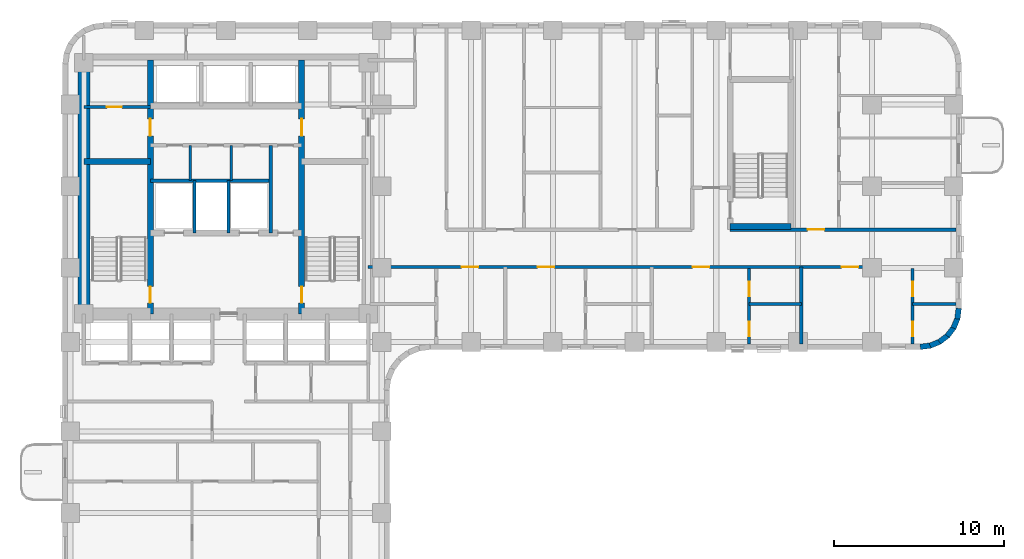
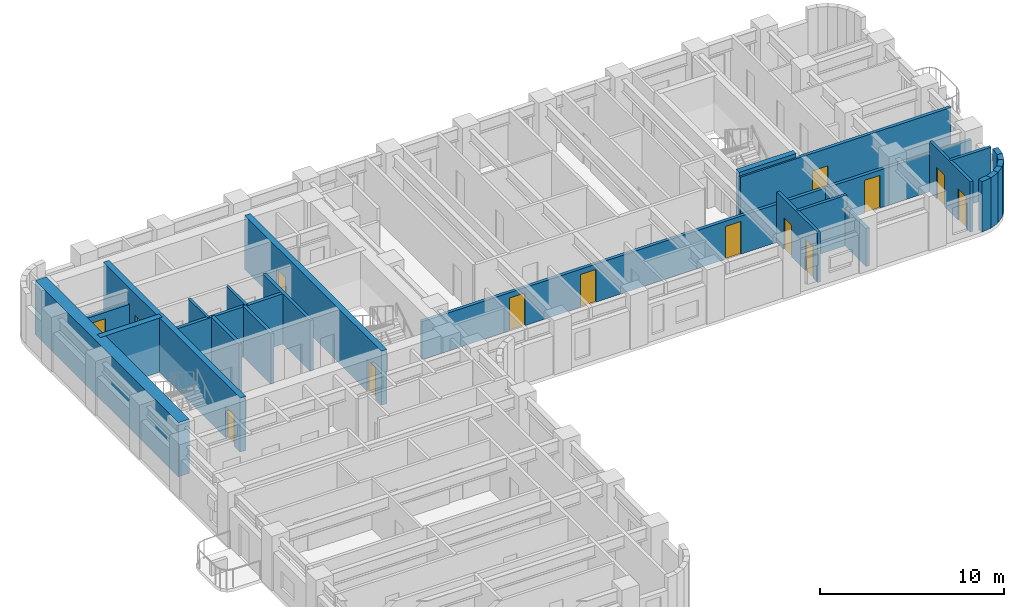
# One storey, part 5 of 11: 25 walls, 14 doors, 14 openings.
"""IFC4 building model written with IfcOpenShell, lengths in metres."""

import ifcopenshell
import ifcopenshell.guid

model = None  # the IFC model being written
_history = None  # IfcOwnerHistory: only IFC2X3 demands one
_inside = {}  # id of a spatial element -> (the spatial element, [elements in it])
_under = {}  # id of a project, library or spatial element -> (it, [spatial elements below it])
_declared = {}  # id of a project -> (the project, [libraries it declares])
_typed = {}  # id of a type object -> (the type object, [elements of that type])
_made_of = {}  # id of a material, layer set ... -> (it, [elements and type objects made of it])


def new_model(schema):
    """Start an empty IFC model of exactly this schema.

    Asked for "IFC4X3", IfcOpenShell would pick the latest addendum, in which some entities
    have other attributes; the version numbers below select the first issue.
    IFC2X3 requires an IfcOwnerHistory on every rooted entity: one is made here for all.
    """
    global model, _history
    if schema == "IFC4X3":
        model = ifcopenshell.file(schema_version=(4, 3, 0, 0))
    else:
        model = ifcopenshell.file(schema=schema)
    _inside.clear()
    _under.clear()
    _declared.clear()
    _typed.clear()
    _made_of.clear()
    _history = None
    if model.schema == "IFC2X3":
        org = make("IfcOrganization", Name="unknown")
        user = make(
            "IfcPersonAndOrganization",
            ThePerson=make("IfcPerson", FamilyName="unknown"),
            TheOrganization=org,
        )
        app = make(
            "IfcApplication",
            ApplicationDeveloper=org,
            Version="unknown",
            ApplicationFullName="unknown",
            ApplicationIdentifier="unknown",
        )
        _history = make(
            "IfcOwnerHistory",
            OwningUser=user,
            OwningApplication=app,
            ChangeAction="ADDED",
            CreationDate=0,
        )
    return model


def make(cls, **values):
    """One entity of the class cls with the attributes given. An attribute that is None is left unset."""
    return model.create_entity(
        cls, **{name: value for name, value in values.items() if value is not None}
    )


def rooted(cls, **values):
    """An entity with a GlobalId (a new one), such as an element, a storey or a relation."""
    return make(cls, GlobalId=ifcopenshell.guid.new(), OwnerHistory=_history, **values)


def si_unit(unit_type, name, prefix=None):
    """IfcSIUnit, for example si_unit("LENGTHUNIT", "METRE", prefix="MILLI")."""
    return make("IfcSIUnit", UnitType=unit_type, Prefix=prefix, Name=name)


def assignment(units):
    """IfcUnitAssignment: the units of a project."""
    return None if units is None else make("IfcUnitAssignment", Units=units)


def point(xyz):
    """IfcCartesianPoint."""
    return None if xyz is None else make("IfcCartesianPoint", Coordinates=xyz)


def direction(xyz):
    """IfcDirection."""
    return None if xyz is None else make("IfcDirection", DirectionRatios=xyz)


def frame(location, z_axis=None, x_axis=None):
    """IfcAxis2Placement3D, a coordinate frame: its origin and axes. An axis left out is left unset."""
    return make(
        "IfcAxis2Placement3D",
        Location=point(location),
        Axis=direction(z_axis),
        RefDirection=direction(x_axis),
    )


def frame_2d(location, x_axis=None):
    """IfcAxis2Placement2D, a coordinate frame in the plane: its origin and x axis."""
    return make(
        "IfcAxis2Placement2D", Location=point(location), RefDirection=direction(x_axis)
    )


def origin():
    """The frame at (0, 0, 0) with its axes left unset."""
    return frame((0.0, 0.0, 0.0))


def place(relative_to, where):
    """IfcLocalPlacement: puts the frame where relative to a parent placement (None: the world)."""
    return make(
        "IfcLocalPlacement", PlacementRelTo=relative_to, RelativePlacement=where
    )


def context(
    kind, dimensions, precision=None, world=None, true_north=None, identifier=None
):
    """IfcGeometricRepresentationContext, for example the 3D "Model" context."""
    return make(
        "IfcGeometricRepresentationContext",
        ContextIdentifier=identifier,
        ContextType=kind,
        CoordinateSpaceDimension=dimensions,
        Precision=precision,
        WorldCoordinateSystem=world,
        TrueNorth=true_north,
    )


def subcontext(parent, identifier, kind, view, scale=None):
    """IfcGeometricRepresentationSubContext, for example "Body" below "Model"."""
    return make(
        "IfcGeometricRepresentationSubContext",
        ContextIdentifier=identifier,
        ContextType=kind,
        ParentContext=parent,
        TargetScale=scale,
        TargetView=view,
    )


def project(units=None, contexts=None):
    """IfcProject with its units and contexts."""
    return rooted(
        "IfcProject",
        Name="project",
        RepresentationContexts=contexts,
        UnitsInContext=assignment(units),
    )


def spatial(cls, under=None, at=None, **own):
    """A site, building, storey or space (cls), placed at a placement, below another one or the project."""
    s = rooted(cls, ObjectPlacement=at, **own)
    if under is not None:
        _under.setdefault(under.id(), (under, []))[1].append(s)
    return s


def profile(cls, at=None, kind="AREA", **sizes):
    """A parametric profile (cls). Its sizes go by their IFC names, for example OverallWidth=200.0."""
    return make(cls, ProfileType=kind, Position=at, **sizes)


def rectangle(**sizes):
    """IfcRectangleProfileDef."""
    return profile("IfcRectangleProfileDef", **sizes)


def extrude(swept, where, along, depth):
    """IfcExtrudedAreaSolid: the profile swept, set in the frame where, extruded along a direction by depth."""
    return make(
        "IfcExtrudedAreaSolid",
        SweptArea=swept,
        Position=where,
        ExtrudedDirection=direction(along),
        Depth=depth,
    )


def shape(context_of_items, identifier, shape_type, items):
    """IfcShapeRepresentation: the items that make up one representation, for example the "Body"."""
    return make(
        "IfcShapeRepresentation",
        ContextOfItems=context_of_items,
        RepresentationIdentifier=identifier,
        RepresentationType=shape_type,
        Items=items,
    )


def material(Name=None, Category=None):
    """IfcMaterial."""
    return make("IfcMaterial", Name=Name, Category=Category)


def layer(
    of_material, thickness, ventilated=None, Name=None, Category=None, Priority=None
):
    """IfcMaterialLayer: one layer of a wall or slab, of a material (None: an air gap)."""
    return make(
        "IfcMaterialLayer",
        Material=of_material,
        LayerThickness=thickness,
        IsVentilated=ventilated,
        Name=Name,
        Category=Category,
        Priority=Priority,
    )


def layer_set(layers, Name=None):
    """IfcMaterialLayerSet."""
    return make("IfcMaterialLayerSet", MaterialLayers=layers, LayerSetName=Name)


def made_of(thing, what):
    """Note that an element or type object is made of a material, layer set ...; save() writes the relation."""
    if what is not None:
        _made_of.setdefault(what.id(), (what, []))[1].append(thing)
    return thing


def type_object(cls, material=None, **own):
    """A type object (cls), such as IfcWallType, which elements share."""
    return made_of(rooted(cls, **own), material)


def element(
    cls,
    number,
    at=None,
    inside=None,
    cuts=None,
    type_object=None,
    material=None,
    context=None,
    identifier="Body",
    shape_type=None,
    held_by="IfcProductDefinitionShape",
    body=None,
    shapes=None,
    **own,
):
    """One element of the class cls, such as IfcWall. Its Tag is "e" and its number.

    at: its placement. inside: the storey or other place that contains it. cuts: it is an
    opening in that element (IfcRelVoidsElement). A single representation is given by context,
    identifier, shape_type and body (its items); several are given by shapes. held_by: the class
    of the entity that holds the representations. save() writes the other relations.
    """
    e = rooted(cls, Tag="e%d" % number, ObjectPlacement=at, **own)
    if body is not None:
        shapes = [shape(context, identifier, shape_type, body)]
    if shapes is not None:
        e.Representation = make(held_by, Representations=shapes)
    if inside is not None:
        _inside.setdefault(inside.id(), (inside, []))[1].append(e)
    if cuts is not None:
        rooted(
            "IfcRelVoidsElement", RelatingBuildingElement=cuts, RelatedOpeningElement=e
        )
    if type_object is not None:
        _typed.setdefault(type_object.id(), (type_object, []))[1].append(e)
    return made_of(e, material)


def fill(opening, filler):
    """IfcRelFillsElement: the door or window that sits in an opening."""
    return rooted(
        "IfcRelFillsElement",
        RelatingOpeningElement=opening,
        RelatedBuildingElement=filler,
    )


def aggregate(whole, parts):
    """IfcRelAggregates: a whole, such as a stair, and the parts it consists of."""
    return rooted("IfcRelAggregates", RelatingObject=whole, RelatedObjects=parts)


def save(model, path):
    """Write the relations noted so far, then the file.

    IfcRelAggregates (storeys below a building ...), IfcRelContainedInSpatialStructure (elements
    in a storey), IfcRelDefinesByType, IfcRelAssociatesMaterial and IfcRelDeclares: one each for
    every whole, place, type object, material and project.
    """
    for whole, parts in _under.values():
        aggregate(whole, parts)
    for where, things in _inside.values():
        rooted(
            "IfcRelContainedInSpatialStructure",
            RelatedElements=things,
            RelatingStructure=where,
        )
    for kind, things in _typed.values():
        rooted("IfcRelDefinesByType", RelatedObjects=things, RelatingType=kind)
    for what, things in _made_of.values():
        rooted("IfcRelAssociatesMaterial", RelatedObjects=things, RelatingMaterial=what)
    for by, libraries in _declared.values():
        rooted("IfcRelDeclares", RelatingContext=by, RelatedDefinitions=libraries)
    model.write(path)


model = new_model("IFC4")

# Units and contexts
model_context = context("Model", 3, precision=1e-05, world=origin(), true_north=direction((0.0, 1.0)))
body_context = subcontext(model_context, "Body", "Model", "MODEL_VIEW")
ifc_project = project(units=[si_unit("LENGTHUNIT", "METRE"), si_unit("AREAUNIT", "SQUARE_METRE"), si_unit("VOLUMEUNIT", "CUBIC_METRE"), si_unit("PLANEANGLEUNIT", "RADIAN"), si_unit("MASSUNIT", "GRAM", prefix="KILO")], contexts=[model_context])

# Site, building, storey
site_placement = place(None, origin())
site = spatial("IfcSite", under=ifc_project, at=site_placement, CompositionType="ELEMENT")
building_placement = place(site_placement, origin())
building = spatial("IfcBuilding", under=site, at=building_placement, Name="Orvandelia Arch Residences", CompositionType="ELEMENT")
storey_placement = place(building_placement, frame((0.0, 0.0, 79.0)))
storey = spatial("IfcBuildingStorey", under=building, at=storey_placement, Name="L20", CompositionType="ELEMENT", Elevation=79.0)

# Wall, openings, doors
ifc_material_1 = material(Name="Concrete C50/60", Category="concrete")
ifc_layer_1 = layer(ifc_material_1, 0.35009765625, Name="Concrete C50/60", Category="concrete")
ifc_layer_set_1 = layer_set([ifc_layer_1], Name="Concrete C50/60")
wall_type_1 = type_object("IfcWallType", Name="WL-CORE-350", PredefinedType="SHEAR", material=ifc_layer_set_1)
wall_1_placement = place(storey_placement, frame((9.9599609375, 30.89990234375, 0.0), z_axis=(0.0, 0.0, 1.0), x_axis=(0.0, 1.0, 0.0)))
wall_1 = element("IfcWall", 1, at=wall_1_placement, inside=storey, type_object=wall_type_1, Name="Core Shear Wall L20-WEB1", PredefinedType="SHEAR", context=body_context, shape_type="SweptSolid", body=[
    extrude(rectangle(XDim=14.900146484375, YDim=0.35009765625, at=frame_2d((7.4501953125, 0.0))), origin(), (0.0, 0.0, 1.0), 3.60009765625),
])
opening_1_placement = place(wall_1_placement, frame((0.64990234375, 0.0, 0.0)))
opening_1 = element("IfcOpeningElement", 2, at=opening_1_placement, cuts=wall_1, Name="Opening D7", PredefinedType="OPENING", context=body_context, shape_type="SweptSolid", body=[
    extrude(rectangle(XDim=0.949951171875, YDim=2.10009765625, at=frame_2d((0.47509765625, 1.050048828125))), frame((0.0, 0.18505859375, 0.0), z_axis=(0.0, -1.0, 0.0), x_axis=(1.0, 0.0, 0.0)), (0.0, 0.0, 1.0), 0.3701171875),
])
opening_2_placement = place(wall_1_placement, frame((10.449951171875, 0.0, 0.0)))
opening_2 = element("IfcOpeningElement", 3, at=opening_2_placement, cuts=wall_1, Name="Opening D6", PredefinedType="OPENING", context=body_context, shape_type="SweptSolid", body=[
    extrude(rectangle(XDim=1.0, YDim=2.14990234375, at=frame_2d((0.5, 1.074951171875))), frame((0.0, 0.18505859375, 0.0), z_axis=(0.0, -1.0, 0.0), x_axis=(1.0, 0.0, 0.0)), (0.0, 0.0, 1.0), 0.3701171875),
])
ifc_material_2 = material(Name="Smokeproof Painted Steel Fire Door", Category="steel")
door_type_1 = type_object("IfcDoorType", Name="DR-FD60-1000", OperationType="NOTDEFINED", PredefinedType="DOOR", material=ifc_material_2)
door_1_placement = place(opening_2_placement, origin())
door_1 = element("IfcDoor", 4, at=door_1_placement, inside=storey, type_object=door_type_1, Name="High-Rise Lift Hall West Vestibule Door L20", OperationType="SINGLE_SWING_LEFT", OverallHeight=2.14990234375, OverallWidth=1.0, PredefinedType="DOOR", context=body_context, shape_type="SweptSolid", body=[
    extrude(rectangle(XDim=1.0, YDim=2.14990234375, at=frame_2d((0.5, 1.074951171875))), frame((0.0, 0.02490234375, 0.0), z_axis=(0.0, -1.0, 0.0), x_axis=(1.0, 0.0, 0.0)), (0.0, 0.0, 1.0), 0.050048828125),
])
fill(opening_2, door_1)
ifc_material_3 = material(Name="Pressurised Stairwell Fire Door")
door_type_2 = type_object("IfcDoorType", Name="DR-STAIR-950", OperationType="NOTDEFINED", PredefinedType="DOOR", material=ifc_material_3)
door_2_placement = place(opening_1_placement, origin())
door_2 = element("IfcDoor", 5, at=door_2_placement, inside=storey, type_object=door_type_2, Name="Stairwell ST-1 Fire Door L20", OperationType="SINGLE_SWING_LEFT", OverallHeight=2.10009765625, OverallWidth=0.949951171875, PredefinedType="DOOR", context=body_context, shape_type="SweptSolid", body=[
    extrude(rectangle(XDim=0.949951171875, YDim=2.10009765625, at=frame_2d((0.47509765625, 1.050048828125))), frame((0.0, 0.02490234375, 0.0), z_axis=(0.0, -1.0, 0.0), x_axis=(1.0, 0.0, 0.0)), (0.0, 0.0, 1.0), 0.050048828125),
])
fill(opening_1, door_2)

wall_2_placement = place(storey_placement, frame((18.840087890625, 30.89990234375, 0.0), z_axis=(0.0, 0.0, 1.0), x_axis=(0.0, 1.0, 0.0)))
wall_2 = element("IfcWall", 6, at=wall_2_placement, inside=storey, type_object=wall_type_1, Name="Core Shear Wall L20-WEB2", PredefinedType="SHEAR", context=body_context, shape_type="SweptSolid", body=[
    extrude(rectangle(XDim=14.900146484375, YDim=0.35009765625, at=frame_2d((7.4501953125, 0.0))), origin(), (0.0, 0.0, 1.0), 3.60009765625),
])
opening_3_placement = place(wall_2_placement, frame((0.64990234375, 0.0, 0.0)))
opening_3 = element("IfcOpeningElement", 7, at=opening_3_placement, cuts=wall_2, Name="Opening D7", PredefinedType="OPENING", context=body_context, shape_type="SweptSolid", body=[
    extrude(rectangle(XDim=0.949951171875, YDim=2.10009765625, at=frame_2d((0.47509765625, 1.050048828125))), frame((0.0, 0.18505859375, 0.0), z_axis=(0.0, -1.0, 0.0), x_axis=(1.0, 0.0, 0.0)), (0.0, 0.0, 1.0), 0.3701171875),
])
opening_4_placement = place(wall_2_placement, frame((10.449951171875, 0.0, 0.0)))
opening_4 = element("IfcOpeningElement", 8, at=opening_4_placement, cuts=wall_2, Name="Opening D6", PredefinedType="OPENING", context=body_context, shape_type="SweptSolid", body=[
    extrude(rectangle(XDim=1.0, YDim=2.14990234375, at=frame_2d((0.5, 1.074951171875))), frame((0.0, 0.18505859375, 0.0), z_axis=(0.0, -1.0, 0.0), x_axis=(1.0, 0.0, 0.0)), (0.0, 0.0, 1.0), 0.3701171875),
])
door_3_placement = place(opening_4_placement, origin())
door_3 = element("IfcDoor", 9, at=door_3_placement, inside=storey, type_object=door_type_1, Name="High-Rise Lift Hall East Vestibule Door L20", OperationType="SINGLE_SWING_RIGHT", OverallHeight=2.14990234375, OverallWidth=1.0, PredefinedType="DOOR", context=body_context, shape_type="SweptSolid", body=[
    extrude(rectangle(XDim=1.0, YDim=2.14990234375, at=frame_2d((0.5, 1.074951171875))), frame((0.0, 0.02490234375, 0.0), z_axis=(0.0, -1.0, 0.0), x_axis=(1.0, 0.0, 0.0)), (0.0, 0.0, 1.0), 0.050048828125),
])
fill(opening_4, door_3)
door_4_placement = place(opening_3_placement, origin())
door_4 = element("IfcDoor", 10, at=door_4_placement, inside=storey, type_object=door_type_2, Name="Stairwell ST-2 Fire Door L20", OperationType="SINGLE_SWING_RIGHT", OverallHeight=2.10009765625, OverallWidth=0.949951171875, PredefinedType="DOOR", context=body_context, shape_type="SweptSolid", body=[
    extrude(rectangle(XDim=0.949951171875, YDim=2.10009765625, at=frame_2d((0.47509765625, 1.050048828125))), frame((0.0, 0.02490234375, 0.0), z_axis=(0.0, -1.0, 0.0), x_axis=(1.0, 0.0, 0.0)), (0.0, 0.0, 1.0), 0.050048828125),
])
fill(opening_3, door_4)

# Walls
wall_3_placement = place(storey_placement, frame((6.050048828125, 39.85009765625, 0.0), z_axis=(0.0, 0.0, 1.0), x_axis=(1.0, 0.0, 0.0)))
element("IfcWall", 11, at=wall_3_placement, inside=storey, type_object=wall_type_1, Name="Core Shear Wall L20-HZ1", PredefinedType="SHEAR", context=body_context, shape_type="SweptSolid", body=[
    extrude(rectangle(XDim=3.909912109375, YDim=0.35009765625, at=frame_2d((1.955078125, 0.0))), origin(), (0.0, 0.0, 1.0), 3.60009765625),
])
wall_4_placement = place(storey_placement, frame((44.02001953125, 36.0400390625, 0.0), z_axis=(0.0, 0.0, 1.0), x_axis=(1.0, 0.0, 0.0)))
element("IfcWall", 12, at=wall_4_placement, inside=storey, type_object=wall_type_1, Name="East Stair Core Shear Wall L20-S", PredefinedType="SHEAR", context=body_context, shape_type="SweptSolid", body=[
    extrude(rectangle(XDim=3.580078125, YDim=0.35009765625, at=frame_2d((1.7900390625, 0.0))), origin(), (0.0, 0.0, 1.0), 3.60009765625),
])
ifc_material_4 = material(Name="Concrete C80/95", Category="concrete")
ifc_layer_2 = layer(ifc_material_4, 0.699951171875, Name="Concrete C80/95", Category="concrete")
ifc_layer_set_2 = layer_set([ifc_layer_2], Name="Concrete C80/95")
wall_type_2 = type_object("IfcWallType", Name="WL-CORE-700", PredefinedType="SHEAR", material=ifc_layer_set_2)
wall_5_placement = place(storey_placement, frame((6.050048828125, 30.550048828125, 0.0), z_axis=(0.0, 0.0, 1.0), x_axis=(0.0, 1.0, 0.0)))
element("IfcWall", 13, at=wall_5_placement, inside=storey, type_object=wall_type_2, Name="Core Shear Wall L20-W", PredefinedType="SHEAR", context=body_context, shape_type="SweptSolid", body=[
    extrude(rectangle(XDim=15.599853515625, YDim=0.699951171875, at=frame_2d((7.7998046875, 0.0))), origin(), (0.0, 0.0, 1.0), 3.60009765625),
])

# Wall, openings, doors
ifc_material_5 = material(Name="Fire-Rated Corridor Partition")
ifc_layer_3 = layer(ifc_material_5, 0.199951171875, Name="Fire-Rated Corridor Partition")
ifc_layer_set_3 = layer_set([ifc_layer_3], Name="Fire-Rated Corridor Partition")
wall_type_3 = type_object("IfcWallType", Name="WL-CORR-200", PredefinedType="PARTITIONING", material=ifc_layer_set_3)
wall_6_placement = place(storey_placement, frame((22.75, 33.64990234375, 0.0), z_axis=(0.0, 0.0, 1.0), x_axis=(1.0, 0.0, 0.0)))
wall_6 = element("IfcWall", 14, at=wall_6_placement, inside=storey, type_object=wall_type_3, Name="Interior Partition Wall WL-L20-ES-S", PredefinedType="PARTITIONING", context=body_context, shape_type="SweptSolid", body=[
    extrude(rectangle(XDim=34.530029296875, YDim=0.199951171875, at=frame_2d((17.26513671875, 0.0))), origin(), (0.0, 0.0, 1.0), 2.530029296875),
])
opening_5_placement = place(wall_6_placement, frame((5.4951171875, 0.0, 0.0)))
opening_5 = element("IfcOpeningElement", 15, at=opening_5_placement, cuts=wall_6, Name="Opening D1", PredefinedType="OPENING", context=body_context, shape_type="SweptSolid", body=[
    extrude(rectangle(XDim=0.97998046875, YDim=2.179931640625, at=frame_2d((0.489990234375, 1.08984375))), frame((0.0, 0.10986328125, 0.0), z_axis=(0.0, -1.0, 0.0), x_axis=(1.0, 0.0, 0.0)), (0.0, 0.0, 1.0), 0.219970703125),
])
opening_6_placement = place(wall_6_placement, frame((9.9609375, 0.0, 0.0)))
opening_6 = element("IfcOpeningElement", 16, at=opening_6_placement, cuts=wall_6, Name="Opening D1", PredefinedType="OPENING", context=body_context, shape_type="SweptSolid", body=[
    extrude(rectangle(XDim=0.97998046875, YDim=2.179931640625, at=frame_2d((0.489990234375, 1.08984375))), frame((0.0, 0.10986328125, 0.0), z_axis=(0.0, -1.0, 0.0), x_axis=(1.0, 0.0, 0.0)), (0.0, 0.0, 1.0), 0.219970703125),
])
opening_7_placement = place(wall_6_placement, frame((19.06591796875, 0.0, 0.0)))
opening_7 = element("IfcOpeningElement", 17, at=opening_7_placement, cuts=wall_6, Name="Opening D1", PredefinedType="OPENING", context=body_context, shape_type="SweptSolid", body=[
    extrude(rectangle(XDim=0.97998046875, YDim=2.179931640625, at=frame_2d((0.489990234375, 1.08984375))), frame((0.0, 0.10986328125, 0.0), z_axis=(0.0, -1.0, 0.0), x_axis=(1.0, 0.0, 0.0)), (0.0, 0.0, 1.0), 0.219970703125),
])
opening_8_placement = place(wall_6_placement, frame((27.81494140625, 0.0, 0.0)))
opening_8 = element("IfcOpeningElement", 18, at=opening_8_placement, cuts=wall_6, Name="Opening D1", PredefinedType="OPENING", context=body_context, shape_type="SweptSolid", body=[
    extrude(rectangle(XDim=0.97998046875, YDim=2.179931640625, at=frame_2d((0.489990234375, 1.08984375))), frame((0.0, 0.10986328125, 0.0), z_axis=(0.0, -1.0, 0.0), x_axis=(1.0, 0.0, 0.0)), (0.0, 0.0, 1.0), 0.219970703125),
])
ifc_material_6 = material(Name="Solid-Core Timber Acoustic Fire Door", Category="wood")
door_type_3 = type_object("IfcDoorType", Name="DR-ENT-980", OperationType="NOTDEFINED", PredefinedType="DOOR", material=ifc_material_6)
door_5_placement = place(opening_5_placement, origin())
door_5 = element("IfcDoor", 19, at=door_5_placement, inside=storey, type_object=door_type_3, Name="Unit L20-04 Entrance Door", OperationType="SINGLE_SWING_RIGHT", OverallHeight=2.179931640625, OverallWidth=0.97998046875, PredefinedType="DOOR", context=body_context, shape_type="SweptSolid", body=[
    extrude(rectangle(XDim=0.97998046875, YDim=2.179931640625, at=frame_2d((0.489990234375, 1.08984375))), frame((0.0, 0.02490234375, 0.0), z_axis=(0.0, -1.0, 0.0), x_axis=(1.0, 0.0, 0.0)), (0.0, 0.0, 1.0), 0.050048828125),
])
fill(opening_5, door_5)
door_6_placement = place(opening_6_placement, origin())
door_6 = element("IfcDoor", 20, at=door_6_placement, inside=storey, type_object=door_type_3, Name="Unit L20-05 Entrance Door", OperationType="SINGLE_SWING_LEFT", OverallHeight=2.179931640625, OverallWidth=0.97998046875, PredefinedType="DOOR", context=body_context, shape_type="SweptSolid", body=[
    extrude(rectangle(XDim=0.97998046875, YDim=2.179931640625, at=frame_2d((0.489990234375, 1.08984375))), frame((0.0, 0.02490234375, 0.0), z_axis=(0.0, -1.0, 0.0), x_axis=(1.0, 0.0, 0.0)), (0.0, 0.0, 1.0), 0.050048828125),
])
fill(opening_6, door_6)
door_7_placement = place(opening_7_placement, origin())
door_7 = element("IfcDoor", 21, at=door_7_placement, inside=storey, type_object=door_type_3, Name="Unit L20-06 Entrance Door", OperationType="SINGLE_SWING_RIGHT", OverallHeight=2.179931640625, OverallWidth=0.97998046875, PredefinedType="DOOR", context=body_context, shape_type="SweptSolid", body=[
    extrude(rectangle(XDim=0.97998046875, YDim=2.179931640625, at=frame_2d((0.489990234375, 1.08984375))), frame((0.0, 0.02490234375, 0.0), z_axis=(0.0, -1.0, 0.0), x_axis=(1.0, 0.0, 0.0)), (0.0, 0.0, 1.0), 0.050048828125),
])
fill(opening_7, door_7)
door_8_placement = place(opening_8_placement, origin())
door_8 = element("IfcDoor", 22, at=door_8_placement, inside=storey, type_object=door_type_3, Name="Unit L20-07 Entrance Door", OperationType="SINGLE_SWING_LEFT", OverallHeight=2.179931640625, OverallWidth=0.97998046875, PredefinedType="DOOR", context=body_context, shape_type="SweptSolid", body=[
    extrude(rectangle(XDim=0.97998046875, YDim=2.179931640625, at=frame_2d((0.489990234375, 1.08984375))), frame((0.0, 0.02490234375, 0.0), z_axis=(0.0, -1.0, 0.0), x_axis=(1.0, 0.0, 0.0)), (0.0, 0.0, 1.0), 0.050048828125),
])
fill(opening_8, door_8)

# Wall, opening, door
wall_7_placement = place(storey_placement, frame((44.02001953125, 35.85009765625, 0.0), z_axis=(0.0, 0.0, 1.0), x_axis=(1.0, 0.0, 0.0)))
wall_7 = element("IfcWall", 23, at=wall_7_placement, inside=storey, type_object=wall_type_3, Name="Interior Partition Wall WL-L20-ES-N2", PredefinedType="PARTITIONING", context=body_context, shape_type="SweptSolid", body=[
    extrude(rectangle(XDim=13.260009765625, YDim=0.199951171875, at=frame_2d((6.6298828125, 0.0))), origin(), (0.0, 0.0, 1.0), 3.35009765625),
])
opening_9_placement = place(wall_7_placement, frame((4.548583984375, 0.0, 0.0)))
opening_9 = element("IfcOpeningElement", 24, at=opening_9_placement, cuts=wall_7, Name="Opening D1", PredefinedType="OPENING", context=body_context, shape_type="SweptSolid", body=[
    extrude(rectangle(XDim=0.97998046875, YDim=2.179931640625, at=frame_2d((0.489990234375, 1.08984375))), frame((0.0, 0.10986328125, 0.0), z_axis=(0.0, -1.0, 0.0), x_axis=(1.0, 0.0, 0.0)), (0.0, 0.0, 1.0), 0.219970703125),
])
door_9_placement = place(opening_9_placement, origin())
door_9 = element("IfcDoor", 25, at=door_9_placement, inside=storey, type_object=door_type_3, Name="Unit L20-10 Entrance Door", OperationType="SINGLE_SWING_RIGHT", OverallHeight=2.179931640625, OverallWidth=0.97998046875, PredefinedType="DOOR", context=body_context, shape_type="SweptSolid", body=[
    extrude(rectangle(XDim=0.97998046875, YDim=2.179931640625, at=frame_2d((0.489990234375, 1.08984375))), frame((0.0, 0.02490234375, 0.0), z_axis=(0.0, -1.0, 0.0), x_axis=(1.0, 0.0, 0.0)), (0.0, 0.0, 1.0), 0.050048828125),
])
fill(opening_9, door_9)

# Walls
ifc_material_7 = material(Name="Concrete C40/50", Category="concrete")
ifc_layer_4 = layer(ifc_material_7, 0.199951171875, Name="Concrete C40/50", Category="concrete")
ifc_layer_set_4 = layer_set([ifc_layer_4], Name="Concrete C40/50")
wall_type_4 = type_object("IfcWallType", Name="WL-DEM-200", PredefinedType="SOLIDWALL", material=ifc_layer_set_4)
wall_8_placement = place(storey_placement, frame((48.199951171875, 29.1201171875, 0.0), z_axis=(0.0, 0.0, 1.0), x_axis=(0.0, 1.0, 0.0)))
element("IfcWall", 26, at=wall_8_placement, inside=storey, type_object=wall_type_4, Name="Interior Partition Wall WL-L20-DEM-ESS-482", PredefinedType="SOLIDWALL", context=body_context, shape_type="SweptSolid", body=[
    extrude(rectangle(XDim=4.52978515625, YDim=0.199951171875, at=frame_2d((2.264892578125, 0.0))), origin(), (0.0, 0.0, 1.0), 2.530029296875),
])
ifc_material_8 = material(Name="Precast concrete C40/50", Category="concrete")
ifc_layer_5 = layer(ifc_material_8, 0.320068359375, Name="Precast concrete C40/50", Category="concrete")
ifc_layer_set_5 = layer_set([ifc_layer_5], Name="Precast concrete C40/50")
wall_type_5 = type_object("IfcWallType", Name="WL-EXT-STONE-320", PredefinedType="STANDARD", material=ifc_layer_set_5)
wall_9_placement = place(storey_placement, frame((57.44140625, 31.220947265625, 0.0), z_axis=(0.0, 0.0, 1.0), x_axis=(-0.130504898859, -0.991447664465, 0.0)))
element("IfcWall", 27, at=wall_9_placement, inside=storey, type_object=wall_type_5, Name="Coral-Limestone Precast Facade Wall L20-015", PredefinedType="STANDARD", context=body_context, shape_type="SweptSolid", body=[
    extrude(rectangle(XDim=0.626708984375, YDim=0.320068359375, at=frame_2d((0.3134765625, 0.0))), origin(), (0.0, 0.0, 1.0), 3.35009765625),
])
wall_10_placement = place(storey_placement, frame((57.370361328125, 30.639892578125, 0.0), z_axis=(0.0, 0.0, 1.0), x_axis=(-0.382787856107, -0.923836271867, 0.0)))
element("IfcWall", 28, at=wall_10_placement, inside=storey, type_object=wall_type_5, Name="Coral-Limestone Precast Facade Wall L20-016", PredefinedType="STANDARD", context=body_context, shape_type="SweptSolid", body=[
    extrude(rectangle(XDim=0.626220703125, YDim=0.320068359375, at=frame_2d((0.31298828125, 0.0))), origin(), (0.0, 0.0, 1.0), 3.35009765625),
])
wall_11_placement = place(storey_placement, frame((57.151611328125, 30.097412109375, 0.0), z_axis=(0.0, 0.0, 1.0), x_axis=(-0.608693302629, -0.793405610854, 0.0)))
element("IfcWall", 29, at=wall_11_placement, inside=storey, type_object=wall_type_5, Name="Coral-Limestone Precast Facade Wall L20-017", PredefinedType="STANDARD", context=body_context, shape_type="SweptSolid", body=[
    extrude(rectangle(XDim=0.62646484375, YDim=0.320068359375, at=frame_2d((0.313232421875, 0.0))), origin(), (0.0, 0.0, 1.0), 3.35009765625),
])
wall_12_placement = place(storey_placement, frame((56.7998046875, 29.6298828125, 0.0), z_axis=(0.0, 0.0, 1.0), x_axis=(-0.793361818833, -0.608750379399, 0.0)))
element("IfcWall", 30, at=wall_12_placement, inside=storey, type_object=wall_type_5, Name="Coral-Limestone Precast Facade Wall L20-018", PredefinedType="STANDARD", context=body_context, shape_type="SweptSolid", body=[
    extrude(rectangle(XDim=0.626953125, YDim=0.320068359375, at=frame_2d((0.3134765625, 0.0))), origin(), (0.0, 0.0, 1.0), 3.35009765625),
])
for number, where, z_axis, x_axis, name in (
    (31, (56.3388671875, 29.269287109375, 0.0), (0.0, 0.0, 1.0), (-0.92389335771, -0.382650053678, 0.0), "Coral-Limestone Precast Facade Wall L20-019"),
    (32, (55.80029296875, 29.040283203125, 0.0), (0.0, 0.0, 1.0), (-0.9914410257, -0.130555323746, 0.0), "Coral-Limestone Precast Facade Wall L20-020"),
):
    element("IfcWall", number, at=place(storey_placement, frame(where, z_axis=z_axis, x_axis=x_axis)), inside=storey, type_object=wall_type_5, Name=name, PredefinedType="STANDARD", context=body_context, shape_type="SweptSolid", body=[
        extrude(rectangle(XDim=0.62646484375, YDim=0.320068359375, at=frame_2d((0.313232421875, 0.0))), origin(), (0.0, 0.0, 1.0), 3.35009765625),
    ])
ifc_material_9 = material(Name="Acoustic Gypsum Stud Partition")
ifc_layer_6 = layer(ifc_material_9, 0.14990234375, Name="Acoustic Gypsum Stud Partition")
ifc_layer_set_6 = layer_set([ifc_layer_6], Name="Acoustic Gypsum Stud Partition")
wall_type_6 = type_object("IfcWallType", Name="WL-PART-150", PredefinedType="PARTITIONING", material=ifc_layer_set_6)
for number, where, z_axis, x_axis, name in (
    (33, (12.300048828125, 38.719970703125, 0.0), (0.0, 0.0, 1.0), (0.0, 1.0, 0.0), "Interior Partition Wall WL-L20-CSA-1"),
    (34, (14.699951171875, 38.719970703125, 0.0), (0.0, 0.0, 1.0), (0.0, 1.0, 0.0), "Interior Partition Wall WL-L20-CSA-2"),
):
    element("IfcWall", number, at=place(storey_placement, frame(where, z_axis=z_axis, x_axis=x_axis)), inside=storey, type_object=wall_type_6, Name=name, PredefinedType="PARTITIONING", context=body_context, shape_type="SweptSolid", body=[
        extrude(rectangle(XDim=2.080078125, YDim=0.14990234375, at=frame_2d((1.0400390625, 0.0))), origin(), (0.0, 0.0, 1.0), 3.35009765625),
    ])
ifc_material_10 = material(Name="Fire-Rated Shaft Enclosure Wall")
ifc_layer_7 = layer(ifc_material_10, 0.199951171875, Name="Fire-Rated Shaft Enclosure Wall")
ifc_layer_set_7 = layer_set([ifc_layer_7], Name="Fire-Rated Shaft Enclosure Wall")
wall_type_7 = type_object("IfcWallType", Name="WL-SHAFT-200", PredefinedType="POLYGONAL", material=ifc_layer_set_7)
wall_13_placement = place(storey_placement, frame((9.9599609375, 38.719970703125, 0.0), z_axis=(0.0, 0.0, 1.0), x_axis=(1.0, 0.0, 0.0)))
element("IfcWall", 35, at=wall_13_placement, inside=storey, type_object=wall_type_7, Name="Interior Partition Wall WL-L20-FLN", PredefinedType="POLYGONAL", context=body_context, shape_type="SweptSolid", body=[
    extrude(rectangle(XDim=7.06005859375, YDim=0.199951171875, at=frame_2d((3.530029296875, 0.0))), origin(), (0.0, 0.0, 1.0), 3.35009765625),
])
for number, where, z_axis, x_axis, name in (
    (36, (12.550048828125, 35.64990234375, 0.0), (0.0, 0.0, 1.0), (0.0, 1.0, 0.0), "Interior Partition Wall WL-L20-FLM1"),
    (37, (14.550048828125, 35.64990234375, 0.0), (0.0, 0.0, 1.0), (0.0, 1.0, 0.0), "Interior Partition Wall WL-L20-FLM2"),
):
    element("IfcWall", number, at=place(storey_placement, frame(where, z_axis=z_axis, x_axis=x_axis)), inside=storey, type_object=wall_type_7, Name=name, PredefinedType="POLYGONAL", context=body_context, shape_type="SweptSolid", body=[
        extrude(rectangle(XDim=3.070068359375, YDim=0.199951171875, at=frame_2d((1.53515625, 0.0))), origin(), (0.0, 0.0, 1.0), 3.35009765625),
    ])
wall_14_placement = place(storey_placement, frame((17.02001953125, 35.64990234375, 0.0), z_axis=(0.0, 0.0, 1.0), x_axis=(0.0, 1.0, 0.0)))
element("IfcWall", 38, at=wall_14_placement, inside=storey, type_object=wall_type_7, Name="Interior Partition Wall WL-L20-FLM3", PredefinedType="POLYGONAL", context=body_context, shape_type="SweptSolid", body=[
    extrude(rectangle(XDim=5.150146484375, YDim=0.199951171875, at=frame_2d((2.5751953125, 0.0))), origin(), (0.0, 0.0, 1.0), 3.35009765625),
])

# Wall, opening, door
wall_15_placement = place(storey_placement, frame((6.050048828125, 43.050048828125, 0.0), z_axis=(0.0, 0.0, 1.0), x_axis=(1.0, 0.0, 0.0)))
wall_15 = element("IfcWall", 39, at=wall_15_placement, inside=storey, type_object=wall_type_7, Name="Interior Partition Wall WL-L20-HLW-N", PredefinedType="POLYGONAL", context=body_context, shape_type="SweptSolid", body=[
    extrude(rectangle(XDim=3.909912109375, YDim=0.199951171875, at=frame_2d((1.955078125, 0.0))), origin(), (0.0, 0.0, 1.0), 2.530029296875),
])
opening_10_placement = place(wall_15_placement, frame((1.35009765625, 0.0, 0.0)))
opening_10 = element("IfcOpeningElement", 40, at=opening_10_placement, cuts=wall_15, Name="Opening D5", PredefinedType="OPENING", context=body_context, shape_type="SweptSolid", body=[
    extrude(rectangle(XDim=0.8798828125, YDim=2.10009765625, at=frame_2d((0.43994140625, 1.050048828125))), frame((0.0, 0.10986328125, 0.0), z_axis=(0.0, -1.0, 0.0), x_axis=(1.0, 0.0, 0.0)), (0.0, 0.0, 1.0), 0.219970703125),
])
ifc_material_11 = material(Name="Painted Galvanised Steel Service Door", Category="steel")
door_type_4 = type_object("IfcDoorType", Name="DR-SRV-880", OperationType="NOTDEFINED", PredefinedType="DOOR", material=ifc_material_11)
door_10_placement = place(opening_10_placement, origin())
door_10 = element("IfcDoor", 41, at=door_10_placement, inside=storey, type_object=door_type_4, Name="Riser Service Door L20", OperationType="SINGLE_SWING_RIGHT", OverallHeight=2.10009765625, OverallWidth=0.8798828125, PredefinedType="DOOR", context=body_context, shape_type="SweptSolid", body=[
    extrude(rectangle(XDim=0.8798828125, YDim=2.10009765625, at=frame_2d((0.43994140625, 1.050048828125))), frame((0.0, 0.02490234375, 0.0), z_axis=(0.0, -1.0, 0.0), x_axis=(1.0, 0.0, 0.0)), (0.0, 0.0, 1.0), 0.050048828125),
])
fill(opening_10, door_10)

# Wall, openings, doors
ifc_material_12 = material(Name="Moisture-Resistant Plumbing Wall")
ifc_layer_8 = layer(ifc_material_12, 0.179931640625, Name="Moisture-Resistant Plumbing Wall")
ifc_layer_set_8 = layer_set([ifc_layer_8], Name="Moisture-Resistant Plumbing Wall")
wall_type_8 = type_object("IfcWallType", Name="WL-WET-180", PredefinedType="PLUMBINGWALL", material=ifc_layer_set_8)
wall_16_placement = place(storey_placement, frame((45.132080078125, 29.1201171875, 0.0), z_axis=(0.0, 0.0, 1.0), x_axis=(0.0, 1.0, 0.0)))
wall_16 = element("IfcWall", 42, at=wall_16_placement, inside=storey, type_object=wall_type_8, Name="Interior Partition Wall WL-L20-U06-VT", PredefinedType="PLUMBINGWALL", context=body_context, shape_type="SweptSolid", body=[
    extrude(rectangle(XDim=4.429931640625, YDim=0.179931640625, at=frame_2d((2.21484375, 0.0))), origin(), (0.0, 0.0, 1.0), 3.35009765625),
])
opening_11_placement = place(wall_16_placement, frame((0.458740234375, 0.0, 0.0)))
opening_11 = element("IfcOpeningElement", 43, at=opening_11_placement, cuts=wall_16, Name="Opening D4", PredefinedType="OPENING", context=body_context, shape_type="SweptSolid", body=[
    extrude(rectangle(XDim=0.860107421875, YDim=2.10009765625, at=frame_2d((0.43017578125, 1.050048828125))), frame((0.0, 0.10009765625, 0.0), z_axis=(0.0, -1.0, 0.0), x_axis=(1.0, 0.0, 0.0)), (0.0, 0.0, 1.0), 0.199951171875),
])
opening_12_placement = place(wall_16_placement, frame((2.79931640625, 0.0, 0.0)))
opening_12 = element("IfcOpeningElement", 44, at=opening_12_placement, cuts=wall_16, Name="Opening D4", PredefinedType="OPENING", context=body_context, shape_type="SweptSolid", body=[
    extrude(rectangle(XDim=0.860107421875, YDim=2.10009765625, at=frame_2d((0.43017578125, 1.050048828125))), frame((0.0, 0.10009765625, 0.0), z_axis=(0.0, -1.0, 0.0), x_axis=(1.0, 0.0, 0.0)), (0.0, 0.0, 1.0), 0.199951171875),
])
ifc_material_13 = material(Name="Moisture-Sealed Timber Bathroom Door", Category="wood")
door_type_5 = type_object("IfcDoorType", Name="DR-WET-900", OperationType="NOTDEFINED", PredefinedType="DOOR", material=ifc_material_13)
door_11_placement = place(opening_11_placement, origin())
door_11 = element("IfcDoor", 45, at=door_11_placement, inside=storey, type_object=door_type_5, Name="DR-L20-U06-KIT", OperationType="SINGLE_SWING_RIGHT", OverallHeight=2.10009765625, OverallWidth=0.860107421875, PredefinedType="DOOR", context=body_context, shape_type="SweptSolid", body=[
    extrude(rectangle(XDim=0.860107421875, YDim=2.10009765625, at=frame_2d((0.43017578125, 1.050048828125))), frame((0.0, 0.02490234375, 0.0), z_axis=(0.0, -1.0, 0.0), x_axis=(1.0, 0.0, 0.0)), (0.0, 0.0, 1.0), 0.050048828125),
])
fill(opening_11, door_11)
door_12_placement = place(opening_12_placement, origin())
door_12 = element("IfcDoor", 46, at=door_12_placement, inside=storey, type_object=door_type_5, Name="DR-L20-U06-BTH", OperationType="SINGLE_SWING_LEFT", OverallHeight=2.10009765625, OverallWidth=0.860107421875, PredefinedType="DOOR", context=body_context, shape_type="SweptSolid", body=[
    extrude(rectangle(XDim=0.860107421875, YDim=2.10009765625, at=frame_2d((0.43017578125, 1.050048828125))), frame((0.0, 0.02490234375, 0.0), z_axis=(0.0, -1.0, 0.0), x_axis=(1.0, 0.0, 0.0)), (0.0, 0.0, 1.0), 0.050048828125),
])
fill(opening_12, door_12)

# Wall
wall_17_placement = place(storey_placement, frame((45.132080078125, 31.485107421875, 0.0), z_axis=(0.0, 0.0, 1.0), x_axis=(1.0, 0.0, 0.0)))
element("IfcWall", 47, at=wall_17_placement, inside=storey, type_object=wall_type_8, Name="Interior Partition Wall WL-L20-U06-H1", PredefinedType="PLUMBINGWALL", context=body_context, shape_type="SweptSolid", body=[
    extrude(rectangle(XDim=3.06787109375, YDim=0.179931640625, at=frame_2d((1.533935546875, 0.0))), origin(), (0.0, 0.0, 1.0), 3.35009765625),
])

# Wall, openings, doors
wall_18_placement = place(storey_placement, frame((54.72998046875, 29.1201171875, 0.0), z_axis=(0.0, 0.0, 1.0), x_axis=(0.0, 1.0, 0.0)))
wall_18 = element("IfcWall", 48, at=wall_18_placement, inside=storey, type_object=wall_type_8, Name="Interior Partition Wall WL-L20-U07-VT", PredefinedType="PLUMBINGWALL", context=body_context, shape_type="SweptSolid", body=[
    extrude(rectangle(XDim=4.429931640625, YDim=0.179931640625, at=frame_2d((2.21484375, 0.0))), origin(), (0.0, 0.0, 1.0), 3.35009765625),
])
opening_13_placement = place(wall_18_placement, frame((0.458740234375, 0.0, 0.0)))
opening_13 = element("IfcOpeningElement", 49, at=opening_13_placement, cuts=wall_18, Name="Opening D4", PredefinedType="OPENING", context=body_context, shape_type="SweptSolid", body=[
    extrude(rectangle(XDim=0.860107421875, YDim=2.10009765625, at=frame_2d((0.43017578125, 1.050048828125))), frame((0.0, 0.10009765625, 0.0), z_axis=(0.0, -1.0, 0.0), x_axis=(1.0, 0.0, 0.0)), (0.0, 0.0, 1.0), 0.199951171875),
])
opening_14_placement = place(wall_18_placement, frame((2.79931640625, 0.0, 0.0)))
opening_14 = element("IfcOpeningElement", 50, at=opening_14_placement, cuts=wall_18, Name="Opening D4", PredefinedType="OPENING", context=body_context, shape_type="SweptSolid", body=[
    extrude(rectangle(XDim=0.860107421875, YDim=2.10009765625, at=frame_2d((0.43017578125, 1.050048828125))), frame((0.0, 0.10009765625, 0.0), z_axis=(0.0, -1.0, 0.0), x_axis=(1.0, 0.0, 0.0)), (0.0, 0.0, 1.0), 0.199951171875),
])
door_13_placement = place(opening_13_placement, origin())
door_13 = element("IfcDoor", 51, at=door_13_placement, inside=storey, type_object=door_type_5, Name="DR-L20-U07-KIT", OperationType="SINGLE_SWING_LEFT", OverallHeight=2.10009765625, OverallWidth=0.860107421875, PredefinedType="DOOR", context=body_context, shape_type="SweptSolid", body=[
    extrude(rectangle(XDim=0.860107421875, YDim=2.10009765625, at=frame_2d((0.43017578125, 1.050048828125))), frame((0.0, 0.02490234375, 0.0), z_axis=(0.0, -1.0, 0.0), x_axis=(1.0, 0.0, 0.0)), (0.0, 0.0, 1.0), 0.050048828125),
])
fill(opening_13, door_13)
door_14_placement = place(opening_14_placement, origin())
door_14 = element("IfcDoor", 52, at=door_14_placement, inside=storey, type_object=door_type_5, Name="DR-L20-U07-BTH", OperationType="SINGLE_SWING_RIGHT", OverallHeight=2.10009765625, OverallWidth=0.860107421875, PredefinedType="DOOR", context=body_context, shape_type="SweptSolid", body=[
    extrude(rectangle(XDim=0.860107421875, YDim=2.10009765625, at=frame_2d((0.43017578125, 1.050048828125))), frame((0.0, 0.02490234375, 0.0), z_axis=(0.0, -1.0, 0.0), x_axis=(1.0, 0.0, 0.0)), (0.0, 0.0, 1.0), 0.050048828125),
])
fill(opening_14, door_14)

# Wall
wall_19_placement = place(storey_placement, frame((54.72998046875, 31.485107421875, 0.0), z_axis=(0.0, 0.0, 1.0), x_axis=(1.0, 0.0, 0.0)))
element("IfcWall", 53, at=wall_19_placement, inside=storey, type_object=wall_type_8, Name="Interior Partition Wall WL-L20-U07-H1", PredefinedType="PLUMBINGWALL", context=body_context, shape_type="SweptSolid", body=[
    extrude(rectangle(XDim=2.550048828125, YDim=0.179931640625, at=frame_2d((1.27490234375, 0.0))), origin(), (0.0, 0.0, 1.0), 3.35009765625),
])

save(model, "model.ifc")
